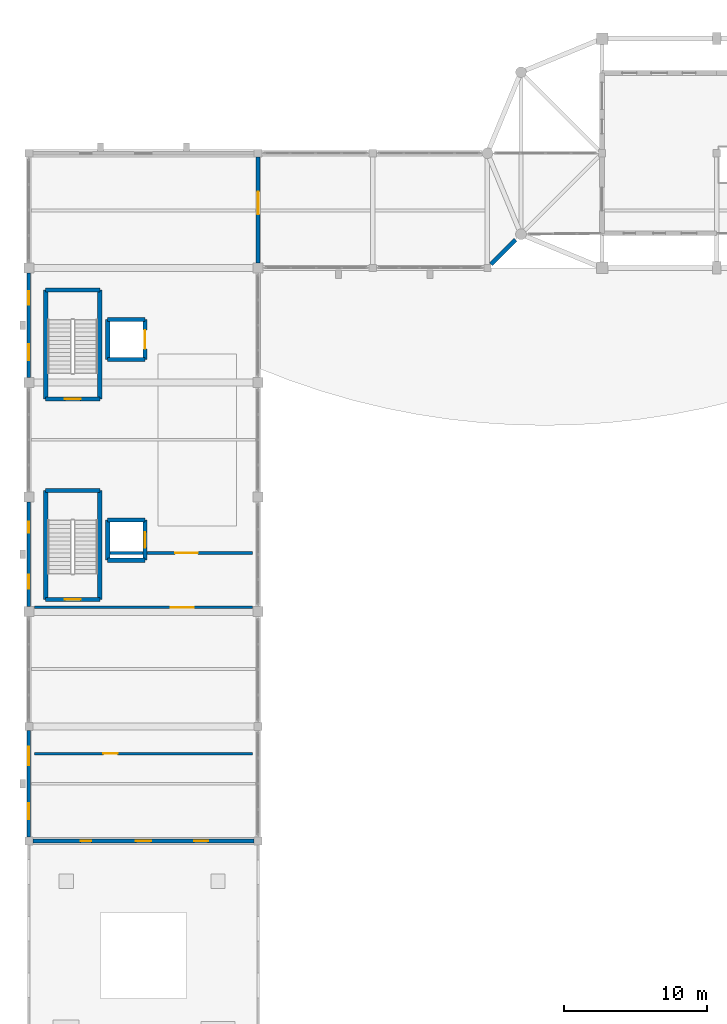
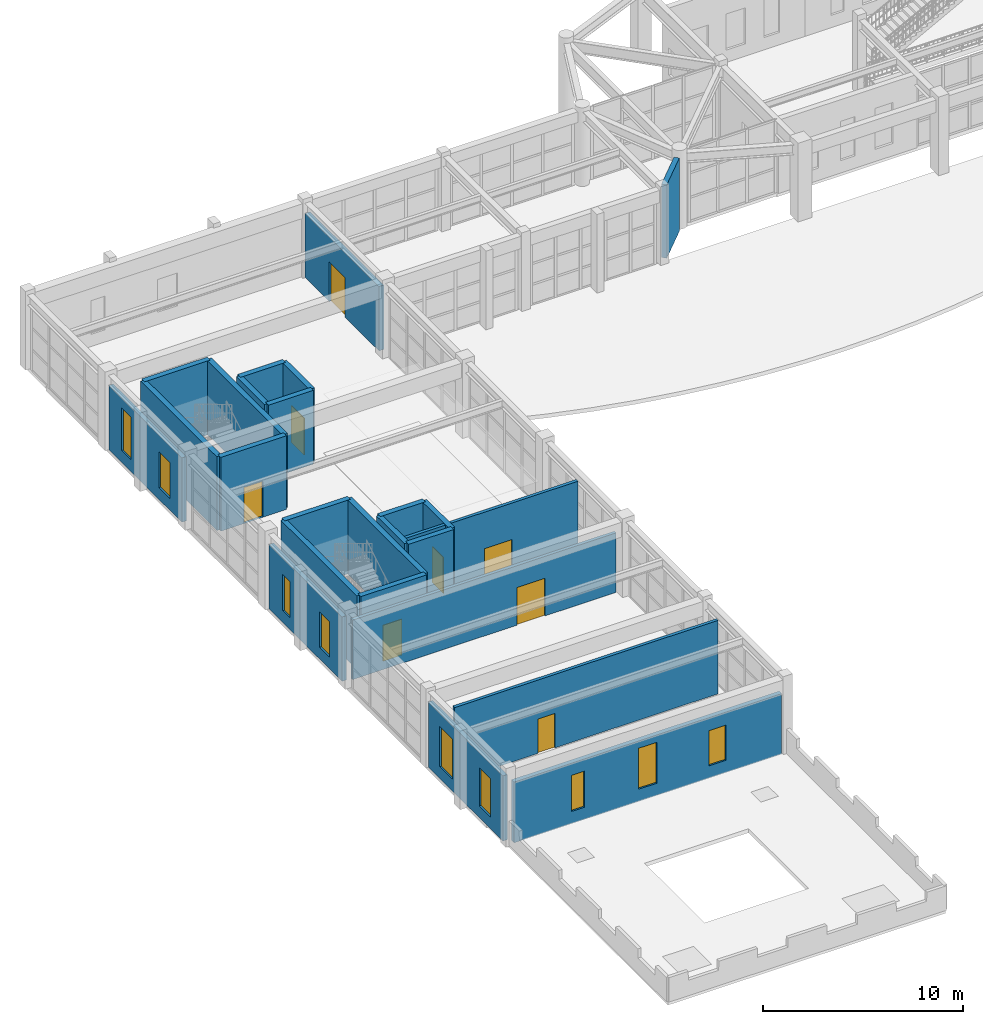
# One storey, part 38 of 59: 25 walls, 9 windows, 8 doors, 17 openings.
"""IFC4 building model written with IfcOpenShell, lengths in metres."""

from ifc_helpers import new_model, si_unit, direction, frame, frame_2d, origin, place, context, subcontext, project, spatial, rectangle, extrude, material, layer, layer_set, type_object, element, fill, save


model = new_model("IFC4")

# Units and contexts
model_context = context("Model", 3, precision=1e-05, world=origin(), true_north=direction((0.0, 1.0)))
body_context = subcontext(model_context, "Body", "Model", "MODEL_VIEW")
ifc_project = project(units=[si_unit("LENGTHUNIT", "METRE"), si_unit("AREAUNIT", "SQUARE_METRE"), si_unit("VOLUMEUNIT", "CUBIC_METRE"), si_unit("PLANEANGLEUNIT", "RADIAN"), si_unit("MASSUNIT", "GRAM", prefix="KILO")], contexts=[model_context])

# Site, building, storey
site_placement = place(None, origin())
site = spatial("IfcSite", under=ifc_project, at=site_placement, CompositionType="ELEMENT")
building_placement = place(site_placement, origin())
building = spatial("IfcBuilding", under=site, at=building_placement, Name="Serraluz Foothill Cableway Terminal", CompositionType="ELEMENT")
storey_placement = place(building_placement, frame((0.0, 0.0, 4.800048828125)))
storey = spatial("IfcBuildingStorey", under=building, at=storey_placement, Name="L01", CompositionType="ELEMENT", Elevation=4.800048828125)

# Wall, openings, windows
ifc_material_1 = material(Name="Fired clay masonry brick (f'm 12 MPa)", Category="masonry")
ifc_layer_1 = layer(ifc_material_1, 0.260009765625, Name="Fired clay masonry brick (f'm 12 MPa)", Category="masonry")
ifc_layer_set_1 = layer_set([ifc_layer_1], Name="Fired clay masonry brick (f'm 12 MPa)")
wall_type_1 = type_object("IfcWallType", Name="TYP-WL-EXT-260", PredefinedType="STANDARD", material=ifc_layer_set_1)
wall_1_placement = place(storey_placement, frame((0.0, 16.27490234375, 0.0), z_axis=(0.0, 0.0, 1.0), x_axis=(0.0, 1.0, 0.0)))
wall_1 = element("IfcWall", 1, at=wall_1_placement, inside=storey, type_object=wall_type_1, Name="Exterior Masonry Wall EW-V5W-L01-16", PredefinedType="STANDARD", context=body_context, shape_type="SweptSolid", body=[
    extrude(rectangle(XDim=7.4501953125, YDim=0.260009765625, at=frame_2d((3.72509765625, 0.0))), origin(), (0.0, 0.0, 1.0), 3.97900390625),
])
opening_1_placement = place(wall_1_placement, frame((1.22802734375, 0.0, 0.719970703125)))
opening_1 = element("IfcOpeningElement", 2, at=opening_1_placement, cuts=wall_1, Name="Opening W-50", PredefinedType="OPENING", context=body_context, shape_type="SweptSolid", body=[
    extrude(rectangle(XDim=1.1201171875, YDim=2.35009765625, at=frame_2d((0.56005859375, 1.175048828125))), frame((0.0, 0.14013671875, 0.0), z_axis=(0.0, -1.0, 0.0), x_axis=(1.0, 0.0, 0.0)), (0.0, 0.0, 1.0), 0.280029296875),
])
opening_2_placement = place(wall_1_placement, frame((5.011962890625, 0.0, 0.719970703125)))
opening_2 = element("IfcOpeningElement", 3, at=opening_2_placement, cuts=wall_1, Name="Opening W-40", PredefinedType="OPENING", context=body_context, shape_type="SweptSolid", body=[
    extrude(rectangle(XDim=1.300048828125, YDim=2.449951171875, at=frame_2d((0.64990234375, 1.22509765625))), frame((0.0, 0.14013671875, 0.0), z_axis=(0.0, -1.0, 0.0), x_axis=(1.0, 0.0, 0.0)), (0.0, 0.0, 1.0), 0.280029296875),
])
ifc_material_2 = material(Name="Laminated low-E safety glass", Category="glass")
window_type_1 = type_object("IfcWindowType", Name="TYP-WN-112X235", PartitioningType="SINGLE_PANEL", PredefinedType="WINDOW", material=ifc_material_2)
window_1_placement = place(opening_1_placement, origin())
window_1 = element("IfcWindow", 4, at=window_1_placement, inside=storey, type_object=window_type_1, Name="Exterior Window EW-V5W-L01-16-WN1", OverallHeight=2.35009765625, OverallWidth=1.1201171875, PartitioningType="SINGLE_PANEL", PredefinedType="WINDOW", context=body_context, shape_type="SweptSolid", body=[
    extrude(rectangle(XDim=1.1201171875, YDim=2.35009765625, at=frame_2d((0.56005859375, 1.175048828125))), frame((0.0, 0.030029296875, 0.0), z_axis=(0.0, -1.0, 0.0), x_axis=(1.0, 0.0, 0.0)), (0.0, 0.0, 1.0), 0.06005859375),
])
fill(opening_1, window_1)
window_type_2 = type_object("IfcWindowType", Name="TYP-WN-130X245", PartitioningType="DOUBLE_PANEL_VERTICAL", PredefinedType="WINDOW", material=ifc_material_2)
window_2_placement = place(opening_2_placement, origin())
window_2 = element("IfcWindow", 5, at=window_2_placement, inside=storey, type_object=window_type_2, Name="Exterior Window EW-V5W-L01-16-WN3", OverallHeight=2.449951171875, OverallWidth=1.300048828125, PartitioningType="SINGLE_PANEL", PredefinedType="WINDOW", context=body_context, shape_type="SweptSolid", body=[
    extrude(rectangle(XDim=1.300048828125, YDim=2.449951171875, at=frame_2d((0.64990234375, 1.22509765625))), frame((0.0, 0.030029296875, 0.0), z_axis=(0.0, -1.0, 0.0), x_axis=(1.0, 0.0, 0.0)), (0.0, 0.0, 1.0), 0.06005859375),
])
fill(opening_2, window_2)

wall_2_placement = place(storey_placement, frame((0.0, 32.35009765625, 0.0), z_axis=(0.0, 0.0, 1.0), x_axis=(0.0, 1.0, 0.0)))
wall_2 = element("IfcWall", 6, at=wall_2_placement, inside=storey, type_object=wall_type_1, Name="Exterior Masonry Wall EW-V5W-L01-32", PredefinedType="STANDARD", context=body_context, shape_type="SweptSolid", body=[
    extrude(rectangle(XDim=7.2998046875, YDim=0.260009765625, at=frame_2d((3.64990234375, 0.0))), origin(), (0.0, 0.0, 1.0), 3.924072265625),
])
opening_3_placement = place(wall_2_placement, frame((1.261962890625, 0.0, 0.719970703125)))
opening_3 = element("IfcOpeningElement", 7, at=opening_3_placement, cuts=wall_2, Name="Opening W-49", PredefinedType="OPENING", context=body_context, shape_type="SweptSolid", body=[
    extrude(rectangle(XDim=0.97998046875, YDim=2.14990234375, at=frame_2d((0.489990234375, 1.074951171875))), frame((0.0, 0.14013671875, 0.0), z_axis=(0.0, -1.0, 0.0), x_axis=(1.0, 0.0, 0.0)), (0.0, 0.0, 1.0), 0.280029296875),
])
opening_4_placement = place(wall_2_placement, frame((5.173095703125, 0.0, 0.719970703125)))
opening_4 = element("IfcOpeningElement", 8, at=opening_4_placement, cuts=wall_2, Name="Opening W-01", PredefinedType="OPENING", context=body_context, shape_type="SweptSolid", body=[
    extrude(rectangle(XDim=0.75, YDim=2.199951171875, at=frame_2d((0.375, 1.10009765625))), frame((0.0, 0.14013671875, 0.0), z_axis=(0.0, -1.0, 0.0), x_axis=(1.0, 0.0, 0.0)), (0.0, 0.0, 1.0), 0.280029296875),
])
window_type_3 = type_object("IfcWindowType", Name="TYP-WN-075X220", PartitioningType="SINGLE_PANEL", PredefinedType="WINDOW", material=ifc_material_2)
window_3_placement = place(opening_4_placement, origin())
window_3 = element("IfcWindow", 9, at=window_3_placement, inside=storey, type_object=window_type_3, Name="Exterior Window EW-V5W-L01-32-WN3", OverallHeight=2.199951171875, OverallWidth=0.75, PartitioningType="SINGLE_PANEL", PredefinedType="WINDOW", context=body_context, shape_type="SweptSolid", body=[
    extrude(rectangle(XDim=0.75, YDim=2.199951171875, at=frame_2d((0.375, 1.10009765625))), frame((0.0, 0.030029296875, 0.0), z_axis=(0.0, -1.0, 0.0), x_axis=(1.0, 0.0, 0.0)), (0.0, 0.0, 1.0), 0.06005859375),
])
fill(opening_4, window_3)
window_type_4 = type_object("IfcWindowType", Name="TYP-WN-098X215", PartitioningType="SINGLE_PANEL", PredefinedType="WINDOW", material=ifc_material_2)
window_4_placement = place(opening_3_placement, origin())
window_4 = element("IfcWindow", 10, at=window_4_placement, inside=storey, type_object=window_type_4, Name="Exterior Window EW-V5W-L01-32-WN1", OverallHeight=2.14990234375, OverallWidth=0.97998046875, PartitioningType="SINGLE_PANEL", PredefinedType="WINDOW", context=body_context, shape_type="SweptSolid", body=[
    extrude(rectangle(XDim=0.97998046875, YDim=2.14990234375, at=frame_2d((0.489990234375, 1.074951171875))), frame((0.0, 0.030029296875, 0.0), z_axis=(0.0, -1.0, 0.0), x_axis=(1.0, 0.0, 0.0)), (0.0, 0.0, 1.0), 0.06005859375),
])
fill(opening_3, window_4)

wall_3_placement = place(storey_placement, frame((0.0, 48.35009765625, 0.0), z_axis=(0.0, 0.0, 1.0), x_axis=(0.0, 1.0, 0.0)))
wall_3 = element("IfcWall", 11, at=wall_3_placement, inside=storey, type_object=wall_type_1, Name="Exterior Masonry Wall EW-V5W-L01-48", PredefinedType="STANDARD", context=body_context, shape_type="SweptSolid", body=[
    extrude(rectangle(XDim=7.2998046875, YDim=0.260009765625, at=frame_2d((3.64990234375, 0.0))), origin(), (0.0, 0.0, 1.0), 3.924072265625),
])
opening_5_placement = place(wall_3_placement, frame((1.201904296875, 0.0, 0.719970703125)))
opening_5 = element("IfcOpeningElement", 12, at=opening_5_placement, cuts=wall_3, Name="Opening W-04", PredefinedType="OPENING", context=body_context, shape_type="SweptSolid", body=[
    extrude(rectangle(XDim=1.10009765625, YDim=2.199951171875, at=frame_2d((0.550048828125, 1.10009765625))), frame((0.0, 0.14013671875, 0.0), z_axis=(0.0, -1.0, 0.0), x_axis=(1.0, 0.0, 0.0)), (0.0, 0.0, 1.0), 0.280029296875),
])
opening_6_placement = place(wall_3_placement, frame((5.072998046875, 0.0, 0.719970703125)))
opening_6 = element("IfcOpeningElement", 13, at=opening_6_placement, cuts=wall_3, Name="Opening W-03", PredefinedType="OPENING", context=body_context, shape_type="SweptSolid", body=[
    extrude(rectangle(XDim=0.949951171875, YDim=2.60009765625, at=frame_2d((0.47509765625, 1.300048828125))), frame((0.0, 0.14013671875, 0.0), z_axis=(0.0, -1.0, 0.0), x_axis=(1.0, 0.0, 0.0)), (0.0, 0.0, 1.0), 0.280029296875),
])
window_type_5 = type_object("IfcWindowType", Name="TYP-WN-095X260", PartitioningType="SINGLE_PANEL", PredefinedType="WINDOW", material=ifc_material_2)
window_5_placement = place(opening_6_placement, origin())
window_5 = element("IfcWindow", 14, at=window_5_placement, inside=storey, type_object=window_type_5, Name="Exterior Window EW-V5W-L01-48-WN3", OverallHeight=2.60009765625, OverallWidth=0.949951171875, PartitioningType="SINGLE_PANEL", PredefinedType="WINDOW", context=body_context, shape_type="SweptSolid", body=[
    extrude(rectangle(XDim=0.949951171875, YDim=2.60009765625, at=frame_2d((0.47509765625, 1.300048828125))), frame((0.0, 0.030029296875, 0.0), z_axis=(0.0, -1.0, 0.0), x_axis=(1.0, 0.0, 0.0)), (0.0, 0.0, 1.0), 0.06005859375),
])
fill(opening_6, window_5)
window_type_6 = type_object("IfcWindowType", Name="TYP-WN-110X220", PartitioningType="SINGLE_PANEL", PredefinedType="WINDOW", material=ifc_material_2)
window_6_placement = place(opening_5_placement, origin())
window_6 = element("IfcWindow", 15, at=window_6_placement, inside=storey, type_object=window_type_6, Name="Exterior Window EW-V5W-L01-48-WN1", OverallHeight=2.199951171875, OverallWidth=1.10009765625, PartitioningType="SINGLE_PANEL", PredefinedType="WINDOW", context=body_context, shape_type="SweptSolid", body=[
    extrude(rectangle(XDim=1.10009765625, YDim=2.199951171875, at=frame_2d((0.550048828125, 1.10009765625))), frame((0.0, 0.030029296875, 0.0), z_axis=(0.0, -1.0, 0.0), x_axis=(1.0, 0.0, 0.0)), (0.0, 0.0, 1.0), 0.06005859375),
])
fill(opening_5, window_6)

wall_4_placement = place(storey_placement, frame((15.72509765625, 16.0, 0.0), z_axis=(0.0, 0.0, 1.0), x_axis=(-1.0, 0.0, 0.0)))
wall_4 = element("IfcWall", 16, at=wall_4_placement, inside=storey, type_object=wall_type_1, Name="Exterior Masonry Wall EW-V5S-L01", PredefinedType="STANDARD", context=body_context, shape_type="SweptSolid", body=[
    extrude(rectangle(XDim=15.4501953125, YDim=0.260009765625, at=frame_2d((7.72509765625, 0.0))), origin(), (0.0, 0.0, 1.0), 3.695068359375),
])
opening_7_placement = place(wall_4_placement, frame((3.218017578125, 0.0, 0.75)))
opening_7 = element("IfcOpeningElement", 17, at=opening_7_placement, cuts=wall_4, Name="Opening W-49", PredefinedType="OPENING", context=body_context, shape_type="SweptSolid", body=[
    extrude(rectangle(XDim=0.97998046875, YDim=2.14990234375, at=frame_2d((0.489990234375, 1.074951171875))), frame((0.0, 0.14013671875, 0.0), z_axis=(0.0, -1.0, 0.0), x_axis=(1.0, 0.0, 0.0)), (0.0, 0.0, 1.0), 0.280029296875),
])
opening_8_placement = place(wall_4_placement, frame((7.199951171875, 0.0, 0.75)))
opening_8 = element("IfcOpeningElement", 18, at=opening_8_placement, cuts=wall_4, Name="Opening W-38", PredefinedType="OPENING", context=body_context, shape_type="SweptSolid", body=[
    extrude(rectangle(XDim=1.050048828125, YDim=2.5, at=frame_2d((0.52490234375, 1.25))), frame((0.0, 0.14013671875, 0.0), z_axis=(0.0, -1.0, 0.0), x_axis=(1.0, 0.0, 0.0)), (0.0, 0.0, 1.0), 0.280029296875),
])
opening_9_placement = place(wall_4_placement, frame((11.366943359375, 0.0, 0.75)))
opening_9 = element("IfcOpeningElement", 19, at=opening_9_placement, cuts=wall_4, Name="Opening W-01", PredefinedType="OPENING", context=body_context, shape_type="SweptSolid", body=[
    extrude(rectangle(XDim=0.75, YDim=2.199951171875, at=frame_2d((0.375, 1.10009765625))), frame((0.0, 0.14013671875, 0.0), z_axis=(0.0, -1.0, 0.0), x_axis=(1.0, 0.0, 0.0)), (0.0, 0.0, 1.0), 0.280029296875),
])
window_7_placement = place(opening_9_placement, origin())
window_7 = element("IfcWindow", 20, at=window_7_placement, inside=storey, type_object=window_type_3, Name="Exterior Window EW-V5S-L01-WN3", OverallHeight=2.199951171875, OverallWidth=0.75, PartitioningType="SINGLE_PANEL", PredefinedType="WINDOW", context=body_context, shape_type="SweptSolid", body=[
    extrude(rectangle(XDim=0.75, YDim=2.199951171875, at=frame_2d((0.375, 1.10009765625))), frame((0.0, 0.030029296875, 0.0), z_axis=(0.0, -1.0, 0.0), x_axis=(1.0, 0.0, 0.0)), (0.0, 0.0, 1.0), 0.06005859375),
])
fill(opening_9, window_7)
window_8_placement = place(opening_7_placement, origin())
window_8 = element("IfcWindow", 21, at=window_8_placement, inside=storey, type_object=window_type_4, Name="Exterior Window EW-V5S-L01-WN1", OverallHeight=2.14990234375, OverallWidth=0.97998046875, PartitioningType="SINGLE_PANEL", PredefinedType="WINDOW", context=body_context, shape_type="SweptSolid", body=[
    extrude(rectangle(XDim=0.97998046875, YDim=2.14990234375, at=frame_2d((0.489990234375, 1.074951171875))), frame((0.0, 0.030029296875, 0.0), z_axis=(0.0, -1.0, 0.0), x_axis=(1.0, 0.0, 0.0)), (0.0, 0.0, 1.0), 0.06005859375),
])
fill(opening_7, window_8)
window_type_7 = type_object("IfcWindowType", Name="TYP-WN-105X250", PartitioningType="SINGLE_PANEL", PredefinedType="WINDOW", material=ifc_material_2)
window_9_placement = place(opening_8_placement, origin())
window_9 = element("IfcWindow", 22, at=window_9_placement, inside=storey, type_object=window_type_7, Name="Exterior Window EW-V5S-L01-WN2", OverallHeight=2.5, OverallWidth=1.050048828125, PartitioningType="SINGLE_PANEL", PredefinedType="WINDOW", context=body_context, shape_type="SweptSolid", body=[
    extrude(rectangle(XDim=1.050048828125, YDim=2.5, at=frame_2d((0.52490234375, 1.25))), frame((0.0, 0.030029296875, 0.0), z_axis=(0.0, -1.0, 0.0), x_axis=(1.0, 0.0, 0.0)), (0.0, 0.0, 1.0), 0.06005859375),
])
fill(opening_8, window_9)

# Wall, opening, door
ifc_layer_2 = layer(ifc_material_1, 0.280029296875, Name="Fired clay masonry brick (f'm 12 MPa)", Category="masonry")
ifc_layer_set_2 = layer_set([ifc_layer_2], Name="Fired clay masonry brick (f'm 12 MPa)")
wall_type_2 = type_object("IfcWallType", Name="TYP-WL-EXT-280", PredefinedType="STANDARD", material=ifc_layer_set_2)
wall_5_placement = place(storey_placement, frame((16.0, 63.72509765625, 0.0), z_axis=(0.0, 0.0, 1.0), x_axis=(0.0, -1.0, 0.0)))
wall_5 = element("IfcWall", 23, at=wall_5_placement, inside=storey, type_object=wall_type_2, Name="Exterior Masonry Wall EW-V5E-L01-56", PredefinedType="STANDARD", context=body_context, shape_type="SweptSolid", body=[
    extrude(rectangle(XDim=7.375, YDim=0.280029296875, at=frame_2d((3.6875, 0.0))), origin(), (0.0, 0.0, 1.0), 3.924072265625),
])
opening_10_placement = place(wall_5_placement, frame((2.39990234375, 0.0, 0.0)))
opening_10 = element("IfcOpeningElement", 24, at=opening_10_placement, cuts=wall_5, Name="Opening DT-03", PredefinedType="OPENING", context=body_context, shape_type="SweptSolid", body=[
    extrude(rectangle(XDim=1.60009765625, YDim=2.39990234375, at=frame_2d((0.800048828125, 1.199951171875))), frame((0.0, 0.14990234375, 0.0), z_axis=(0.0, -1.0, 0.0), x_axis=(1.0, 0.0, 0.0)), (0.0, 0.0, 1.0), 0.300048828125),
])
ifc_material_3 = material(Name="Architectural bronze alloy C28000", Category="aluminium")
door_type_1 = type_object("IfcDoorType", Name="TYP-DR-TER-1600", OperationType="DOUBLE_DOOR_SINGLE_SWING", PredefinedType="DOOR", material=ifc_material_3)
door_1_placement = place(opening_10_placement, origin())
door_1 = element("IfcDoor", 25, at=door_1_placement, inside=storey, type_object=door_type_1, Name="West Bridge V5 Door L01", OperationType="DOUBLE_DOOR_SINGLE_SWING", OverallHeight=2.39990234375, OverallWidth=1.60009765625, PredefinedType="DOOR", context=body_context, shape_type="SweptSolid", body=[
    extrude(rectangle(XDim=1.60009765625, YDim=2.39990234375, at=frame_2d((0.800048828125, 1.199951171875))), frame((0.0, 0.02490234375, 0.0), z_axis=(0.0, -1.0, 0.0), x_axis=(1.0, 0.0, 0.0)), (0.0, 0.0, 1.0), 0.050048828125),
])
fill(opening_10, door_1)

# Wall
wall_6_placement = place(storey_placement, frame((33.968017578125, 57.968017578125, 0.0), z_axis=(0.0, 0.0, 1.0), x_axis=(-0.707106781187, -0.707106781187, 0.0)))
element("IfcWall", 26, at=wall_6_placement, inside=storey, type_object=wall_type_2, Name="Exterior Masonry Wall EW-WLS-STEP-L01", PredefinedType="STANDARD", context=body_context, shape_type="SweptSolid", body=[
    extrude(rectangle(XDim=2.4296875, YDim=0.280029296875, at=frame_2d((1.21484375, 0.0))), origin(), (0.0, 0.0, 1.0), 4.474853515625),
])

# Wall, opening, door
ifc_layer_3 = layer(ifc_material_1, 0.179931640625, Name="Fired clay masonry brick (f'm 12 MPa)", Category="masonry")
ifc_layer_set_3 = layer_set([ifc_layer_3], Name="Fired clay masonry brick (f'm 12 MPa)")
wall_type_3 = type_object("IfcWallType", Name="TYP-WL-PRT-180", PredefinedType="PARTITIONING", material=ifc_layer_set_3)
wall_7_placement = place(storey_placement, frame((5.39990234375, 36.10009765625, 0.0), z_axis=(0.0, 0.0, 1.0), x_axis=(1.0, 0.0, 0.0)))
wall_7 = element("IfcWall", 27, at=wall_7_placement, inside=storey, type_object=wall_type_3, Name="Interior Partition PT-L01-09", PredefinedType="PARTITIONING", context=body_context, shape_type="SweptSolid", body=[
    extrude(rectangle(XDim=10.2001953125, YDim=0.179931640625, at=frame_2d((5.10009765625, 0.0))), origin(), (0.0, 0.0, 1.0), 4.47998046875),
])
opening_11_placement = place(wall_7_placement, frame((4.800048828125, 0.0, 0.0)))
opening_11 = element("IfcOpeningElement", 28, at=opening_11_placement, cuts=wall_7, Name="Opening DF-05", PredefinedType="OPENING", context=body_context, shape_type="SweptSolid", body=[
    extrude(rectangle(XDim=1.60009765625, YDim=2.25, at=frame_2d((0.800048828125, 1.125))), frame((0.0, 0.10009765625, 0.0), z_axis=(0.0, -1.0, 0.0), x_axis=(1.0, 0.0, 0.0)), (0.0, 0.0, 1.0), 0.199951171875),
])
ifc_material_4 = material(Name="Galvanized hollow-metal steel sheet", Category="steel")
door_type_2 = type_object("IfcDoorType", Name="TYP-DR-FD30-1600", OperationType="DOUBLE_DOOR_SINGLE_SWING", PredefinedType="DOOR", material=ifc_material_4)
door_2_placement = place(opening_11_placement, origin())
door_2 = element("IfcDoor", 29, at=door_2_placement, inside=storey, type_object=door_type_2, Name="Interior Door PT-L01-09-DR1", OperationType="DOUBLE_DOOR_SINGLE_SWING", OverallHeight=2.25, OverallWidth=1.60009765625, PredefinedType="DOOR", context=body_context, shape_type="SweptSolid", body=[
    extrude(rectangle(XDim=1.60009765625, YDim=2.25, at=frame_2d((0.800048828125, 1.125))), frame((0.0, 0.02490234375, 0.0), z_axis=(0.0, -1.0, 0.0), x_axis=(1.0, 0.0, 0.0)), (0.0, 0.0, 1.0), 0.050048828125),
])
fill(opening_11, door_2)

wall_8_placement = place(storey_placement, frame((0.39990234375, 32.300048828125, 0.0), z_axis=(0.0, 0.0, 1.0), x_axis=(1.0, 0.0, 0.0)))
wall_8 = element("IfcWall", 30, at=wall_8_placement, inside=storey, type_object=wall_type_3, Name="Interior Partition PT-L01-09S", PredefinedType="PARTITIONING", context=body_context, shape_type="SweptSolid", body=[
    extrude(rectangle(XDim=15.2001953125, YDim=0.179931640625, at=frame_2d((7.60009765625, 0.0))), origin(), (0.0, 0.0, 1.0), 3.6318359375),
])
opening_12_placement = place(wall_8_placement, frame((9.5, 0.0, 0.0)))
opening_12 = element("IfcOpeningElement", 31, at=opening_12_placement, cuts=wall_8, Name="Opening DI-05", PredefinedType="OPENING", context=body_context, shape_type="SweptSolid", body=[
    extrude(rectangle(XDim=1.60009765625, YDim=2.300048828125, at=frame_2d((0.800048828125, 1.14990234375))), frame((0.0, 0.10009765625, 0.0), z_axis=(0.0, -1.0, 0.0), x_axis=(1.0, 0.0, 0.0)), (0.0, 0.0, 1.0), 0.199951171875),
])
door_type_3 = type_object("IfcDoorType", Name="TYP-DR-DBL-1600", OperationType="DOUBLE_DOOR_SINGLE_SWING", PredefinedType="DOOR", material=ifc_material_3)
door_3_placement = place(opening_12_placement, origin())
door_3 = element("IfcDoor", 32, at=door_3_placement, inside=storey, type_object=door_type_3, Name="Interior Door PT-L01-09S-DR1", OperationType="DOUBLE_DOOR_SINGLE_SWING", OverallHeight=2.300048828125, OverallWidth=1.60009765625, PredefinedType="DOOR", context=body_context, shape_type="SweptSolid", body=[
    extrude(rectangle(XDim=1.60009765625, YDim=2.300048828125, at=frame_2d((0.800048828125, 1.14990234375))), frame((0.0, 0.02490234375, 0.0), z_axis=(0.0, -1.0, 0.0), x_axis=(1.0, 0.0, 0.0)), (0.0, 0.0, 1.0), 0.050048828125),
])
fill(opening_12, door_3)

wall_9_placement = place(storey_placement, frame((0.39990234375, 22.10009765625, 0.0), z_axis=(0.0, 0.0, 1.0), x_axis=(1.0, 0.0, 0.0)))
wall_9 = element("IfcWall", 33, at=wall_9_placement, inside=storey, type_object=wall_type_3, Name="Interior Partition PT-L01-10", PredefinedType="PARTITIONING", context=body_context, shape_type="SweptSolid", body=[
    extrude(rectangle(XDim=15.2001953125, YDim=0.179931640625, at=frame_2d((7.60009765625, 0.0))), origin(), (0.0, 0.0, 1.0), 4.47998046875),
])
opening_13_placement = place(wall_9_placement, frame((4.800048828125, 0.0, 0.0)))
opening_13 = element("IfcOpeningElement", 34, at=opening_13_placement, cuts=wall_9, Name="Opening DI-04", PredefinedType="OPENING", context=body_context, shape_type="SweptSolid", body=[
    extrude(rectangle(XDim=1.0, YDim=2.10009765625, at=frame_2d((0.5, 1.050048828125))), frame((0.0, 0.10009765625, 0.0), z_axis=(0.0, -1.0, 0.0), x_axis=(1.0, 0.0, 0.0)), (0.0, 0.0, 1.0), 0.199951171875),
])
ifc_material_5 = material(Name="Kiln-dried Andean oak hardwood", Category="wood")
door_type_4 = type_object("IfcDoorType", Name="TYP-DR-ACC-1000", OperationType="NOTDEFINED", PredefinedType="DOOR", material=ifc_material_5)
door_4_placement = place(opening_13_placement, origin())
door_4 = element("IfcDoor", 35, at=door_4_placement, inside=storey, type_object=door_type_4, Name="Interior Door PT-L01-10-DR1", OperationType="SINGLE_SWING_RIGHT", OverallHeight=2.10009765625, OverallWidth=1.0, PredefinedType="DOOR", context=body_context, shape_type="SweptSolid", body=[
    extrude(rectangle(XDim=1.0, YDim=2.10009765625, at=frame_2d((0.5, 1.050048828125))), frame((0.0, 0.02490234375, 0.0), z_axis=(0.0, -1.0, 0.0), x_axis=(1.0, 0.0, 0.0)), (0.0, 0.0, 1.0), 0.050048828125),
])
fill(opening_13, door_4)

ifc_material_6 = material(Name="Concrete C35/45 (f'c 35 MPa)", Category="concrete")
ifc_layer_4 = layer(ifc_material_6, 0.300048828125, Name="Concrete C35/45 (f'c 35 MPa)", Category="concrete")
ifc_layer_set_4 = layer_set([ifc_layer_4], Name="Concrete C35/45 (f'c 35 MPa)")
wall_type_4 = type_object("IfcWallType", Name="TYP-WL-SHR-350", PredefinedType="SHEAR", material=ifc_layer_set_4)
wall_10_placement = place(storey_placement, frame((4.949951171875, 46.85009765625, 0.0), z_axis=(0.0, 0.0, 1.0), x_axis=(-1.0, 0.0, 0.0)))
wall_10 = element("IfcWall", 36, at=wall_10_placement, inside=storey, type_object=wall_type_4, Name="Stair Core Shear Wall CW-ST-01-L01-S", PredefinedType="SHEAR", context=body_context, shape_type="SweptSolid", body=[
    extrude(rectangle(XDim=3.780029296875, YDim=0.300048828125, at=frame_2d((1.89013671875, 0.0))), origin(), (0.0, 0.0, 1.0), 4.5),
])
opening_14_placement = place(wall_10_placement, frame((1.340087890625, 0.0, 0.0)))
opening_14 = element("IfcOpeningElement", 37, at=opening_14_placement, cuts=wall_10, Name="Opening DF-07", PredefinedType="OPENING", context=body_context, shape_type="SweptSolid", body=[
    extrude(rectangle(XDim=1.10009765625, YDim=2.199951171875, at=frame_2d((0.550048828125, 1.10009765625))), frame((0.0, 0.16015625, 0.0), z_axis=(0.0, -1.0, 0.0), x_axis=(1.0, 0.0, 0.0)), (0.0, 0.0, 1.0), 0.320068359375),
])
door_type_5 = type_object("IfcDoorType", Name="TYP-DR-FD60-1100", OperationType="NOTDEFINED", PredefinedType="DOOR", material=ifc_material_4)
door_5_placement = place(opening_14_placement, origin())
door_5 = element("IfcDoor", 38, at=door_5_placement, inside=storey, type_object=door_type_5, Name="Exit Stair Fire Door ST-01 L01", OperationType="SINGLE_SWING_LEFT", OverallHeight=2.199951171875, OverallWidth=1.10009765625, PredefinedType="DOOR", context=body_context, shape_type="SweptSolid", body=[
    extrude(rectangle(XDim=1.10009765625, YDim=2.199951171875, at=frame_2d((0.550048828125, 1.10009765625))), frame((0.0, 0.02490234375, 0.0), z_axis=(0.0, -1.0, 0.0), x_axis=(1.0, 0.0, 0.0)), (0.0, 0.0, 1.0), 0.050048828125),
])
fill(opening_14, door_5)

# Walls
wall_11_placement = place(storey_placement, frame((1.169921875, 46.85009765625, 0.0), z_axis=(0.0, 0.0, 1.0), x_axis=(0.0, 1.0, 0.0)))
element("IfcWall", 39, at=wall_11_placement, inside=storey, type_object=wall_type_4, Name="Stair Core Shear Wall CW-ST-01-L01-W", PredefinedType="SHEAR", context=body_context, shape_type="SweptSolid", body=[
    extrude(rectangle(XDim=7.60986328125, YDim=0.300048828125, at=frame_2d((3.804931640625, 0.0))), origin(), (0.0, 0.0, 1.0), 4.5),
])
wall_12_placement = place(storey_placement, frame((1.169921875, 54.4599609375, 0.0), z_axis=(0.0, 0.0, 1.0), x_axis=(1.0, 0.0, 0.0)))
element("IfcWall", 40, at=wall_12_placement, inside=storey, type_object=wall_type_4, Name="Stair Core Shear Wall CW-ST-01-L01-N", PredefinedType="SHEAR", context=body_context, shape_type="SweptSolid", body=[
    extrude(rectangle(XDim=3.780029296875, YDim=0.300048828125, at=frame_2d((1.89013671875, 0.0))), origin(), (0.0, 0.0, 1.0), 4.5),
])
wall_13_placement = place(storey_placement, frame((4.949951171875, 54.4599609375, 0.0), z_axis=(0.0, 0.0, 1.0), x_axis=(0.0, -1.0, 0.0)))
element("IfcWall", 41, at=wall_13_placement, inside=storey, type_object=wall_type_4, Name="Stair Core Shear Wall CW-ST-01-L01-E", PredefinedType="SHEAR", context=body_context, shape_type="SweptSolid", body=[
    extrude(rectangle(XDim=7.60986328125, YDim=0.300048828125, at=frame_2d((3.804931640625, 0.0))), origin(), (0.0, 0.0, 1.0), 4.5),
])

# Wall, opening, door
wall_14_placement = place(storey_placement, frame((4.949951171875, 32.85009765625, 0.0), z_axis=(0.0, 0.0, 1.0), x_axis=(-1.0, 0.0, 0.0)))
wall_14 = element("IfcWall", 42, at=wall_14_placement, inside=storey, type_object=wall_type_4, Name="Stair Core Shear Wall CW-ST-02-L01-S", PredefinedType="SHEAR", context=body_context, shape_type="SweptSolid", body=[
    extrude(rectangle(XDim=3.780029296875, YDim=0.300048828125, at=frame_2d((1.89013671875, 0.0))), origin(), (0.0, 0.0, 1.0), 4.5),
])
opening_15_placement = place(wall_14_placement, frame((1.340087890625, 0.0, 0.0)))
opening_15 = element("IfcOpeningElement", 43, at=opening_15_placement, cuts=wall_14, Name="Opening DF-07", PredefinedType="OPENING", context=body_context, shape_type="SweptSolid", body=[
    extrude(rectangle(XDim=1.10009765625, YDim=2.199951171875, at=frame_2d((0.550048828125, 1.10009765625))), frame((0.0, 0.16015625, 0.0), z_axis=(0.0, -1.0, 0.0), x_axis=(1.0, 0.0, 0.0)), (0.0, 0.0, 1.0), 0.320068359375),
])
door_6_placement = place(opening_15_placement, origin())
door_6 = element("IfcDoor", 44, at=door_6_placement, inside=storey, type_object=door_type_5, Name="Exit Stair Fire Door ST-02 L01", OperationType="SINGLE_SWING_RIGHT", OverallHeight=2.199951171875, OverallWidth=1.10009765625, PredefinedType="DOOR", context=body_context, shape_type="SweptSolid", body=[
    extrude(rectangle(XDim=1.10009765625, YDim=2.199951171875, at=frame_2d((0.550048828125, 1.10009765625))), frame((0.0, 0.02490234375, 0.0), z_axis=(0.0, -1.0, 0.0), x_axis=(1.0, 0.0, 0.0)), (0.0, 0.0, 1.0), 0.050048828125),
])
fill(opening_15, door_6)

# Walls
wall_15_placement = place(storey_placement, frame((1.169921875, 32.85009765625, 0.0), z_axis=(0.0, 0.0, 1.0), x_axis=(0.0, 1.0, 0.0)))
element("IfcWall", 45, at=wall_15_placement, inside=storey, type_object=wall_type_4, Name="Stair Core Shear Wall CW-ST-02-L01-W", PredefinedType="SHEAR", context=body_context, shape_type="SweptSolid", body=[
    extrude(rectangle(XDim=7.60986328125, YDim=0.300048828125, at=frame_2d((3.804931640625, 0.0))), origin(), (0.0, 0.0, 1.0), 4.5),
])
wall_16_placement = place(storey_placement, frame((1.169921875, 40.4599609375, 0.0), z_axis=(0.0, 0.0, 1.0), x_axis=(1.0, 0.0, 0.0)))
element("IfcWall", 46, at=wall_16_placement, inside=storey, type_object=wall_type_4, Name="Stair Core Shear Wall CW-ST-02-L01-N", PredefinedType="SHEAR", context=body_context, shape_type="SweptSolid", body=[
    extrude(rectangle(XDim=3.780029296875, YDim=0.300048828125, at=frame_2d((1.89013671875, 0.0))), origin(), (0.0, 0.0, 1.0), 4.5),
])
wall_17_placement = place(storey_placement, frame((4.949951171875, 40.4599609375, 0.0), z_axis=(0.0, 0.0, 1.0), x_axis=(0.0, -1.0, 0.0)))
element("IfcWall", 47, at=wall_17_placement, inside=storey, type_object=wall_type_4, Name="Stair Core Shear Wall CW-ST-02-L01-E", PredefinedType="SHEAR", context=body_context, shape_type="SweptSolid", body=[
    extrude(rectangle(XDim=7.60986328125, YDim=0.300048828125, at=frame_2d((3.804931640625, 0.0))), origin(), (0.0, 0.0, 1.0), 4.5),
])
wall_18_placement = place(storey_placement, frame((8.10009765625, 49.60009765625, 0.0), z_axis=(0.0, 0.0, 1.0), x_axis=(-1.0, 0.0, 0.0)))
element("IfcWall", 48, at=wall_18_placement, inside=storey, type_object=wall_type_4, Name="Lift Shaft Shear Wall LW-LF-01-L01-S", PredefinedType="SHEAR", context=body_context, shape_type="SweptSolid", body=[
    extrude(rectangle(XDim=2.60009765625, YDim=0.300048828125, at=frame_2d((1.300048828125, 0.0))), origin(), (0.0, 0.0, 1.0), 4.5),
])
wall_19_placement = place(storey_placement, frame((5.5, 49.60009765625, 0.0), z_axis=(0.0, 0.0, 1.0), x_axis=(0.0, 1.0, 0.0)))
element("IfcWall", 49, at=wall_19_placement, inside=storey, type_object=wall_type_4, Name="Lift Shaft Shear Wall LW-LF-01-L01-W", PredefinedType="SHEAR", context=body_context, shape_type="SweptSolid", body=[
    extrude(rectangle(XDim=2.7998046875, YDim=0.300048828125, at=frame_2d((1.39990234375, 0.0))), origin(), (0.0, 0.0, 1.0), 4.5),
])
wall_20_placement = place(storey_placement, frame((5.5, 52.39990234375, 0.0), z_axis=(0.0, 0.0, 1.0), x_axis=(1.0, 0.0, 0.0)))
element("IfcWall", 50, at=wall_20_placement, inside=storey, type_object=wall_type_4, Name="Lift Shaft Shear Wall LW-LF-01-L01-N", PredefinedType="SHEAR", context=body_context, shape_type="SweptSolid", body=[
    extrude(rectangle(XDim=2.60009765625, YDim=0.300048828125, at=frame_2d((1.300048828125, 0.0))), origin(), (0.0, 0.0, 1.0), 4.5),
])

# Wall, opening, door
wall_21_placement = place(storey_placement, frame((8.10009765625, 52.39990234375, 0.0), z_axis=(0.0, 0.0, 1.0), x_axis=(0.0, -1.0, 0.0)))
wall_21 = element("IfcWall", 51, at=wall_21_placement, inside=storey, type_object=wall_type_4, Name="Lift Shaft Shear Wall LW-LF-01-L01-E", PredefinedType="SHEAR", context=body_context, shape_type="SweptSolid", body=[
    extrude(rectangle(XDim=2.7998046875, YDim=0.300048828125, at=frame_2d((1.39990234375, 0.0))), origin(), (0.0, 0.0, 1.0), 4.5),
])
opening_16_placement = place(wall_21_placement, frame((0.75, 0.0, 0.0)))
opening_16 = element("IfcOpeningElement", 52, at=opening_16_placement, cuts=wall_21, Name="Opening LD-02", PredefinedType="OPENING", context=body_context, shape_type="SweptSolid", body=[
    extrude(rectangle(XDim=1.300048828125, YDim=2.25, at=frame_2d((0.64990234375, 1.125))), frame((0.0, 0.16015625, 0.0), z_axis=(0.0, -1.0, 0.0), x_axis=(1.0, 0.0, 0.0)), (0.0, 0.0, 1.0), 0.320068359375),
])
door_type_6 = type_object("IfcDoorType", Name="TYP-DR-LD-1300", OperationType="DOUBLE_DOOR_SLIDING", PredefinedType="DOOR", material=ifc_material_4)
door_7_placement = place(opening_16_placement, origin())
door_7 = element("IfcDoor", 53, at=door_7_placement, inside=storey, type_object=door_type_6, Name="Lift Sliding Landing Door LF-01 L01", OperationType="DOUBLE_DOOR_SLIDING", OverallHeight=2.25, OverallWidth=1.300048828125, PredefinedType="DOOR", context=body_context, shape_type="SweptSolid", body=[
    extrude(rectangle(XDim=1.300048828125, YDim=2.25, at=frame_2d((0.64990234375, 1.125))), frame((0.0, 0.02490234375, 0.0), z_axis=(0.0, -1.0, 0.0), x_axis=(1.0, 0.0, 0.0)), (0.0, 0.0, 1.0), 0.050048828125),
])
fill(opening_16, door_7)

# Walls
wall_22_placement = place(storey_placement, frame((8.10009765625, 35.60009765625, 0.0), z_axis=(0.0, 0.0, 1.0), x_axis=(-1.0, 0.0, 0.0)))
element("IfcWall", 54, at=wall_22_placement, inside=storey, type_object=wall_type_4, Name="Lift Shaft Shear Wall LW-LF-02-L01-S", PredefinedType="SHEAR", context=body_context, shape_type="SweptSolid", body=[
    extrude(rectangle(XDim=2.60009765625, YDim=0.300048828125, at=frame_2d((1.300048828125, 0.0))), origin(), (0.0, 0.0, 1.0), 4.5),
])
wall_23_placement = place(storey_placement, frame((5.5, 35.60009765625, 0.0), z_axis=(0.0, 0.0, 1.0), x_axis=(0.0, 1.0, 0.0)))
element("IfcWall", 55, at=wall_23_placement, inside=storey, type_object=wall_type_4, Name="Lift Shaft Shear Wall LW-LF-02-L01-W", PredefinedType="SHEAR", context=body_context, shape_type="SweptSolid", body=[
    extrude(rectangle(XDim=2.7998046875, YDim=0.300048828125, at=frame_2d((1.39990234375, 0.0))), origin(), (0.0, 0.0, 1.0), 4.5),
])
wall_24_placement = place(storey_placement, frame((5.5, 38.39990234375, 0.0), z_axis=(0.0, 0.0, 1.0), x_axis=(1.0, 0.0, 0.0)))
element("IfcWall", 56, at=wall_24_placement, inside=storey, type_object=wall_type_4, Name="Lift Shaft Shear Wall LW-LF-02-L01-N", PredefinedType="SHEAR", context=body_context, shape_type="SweptSolid", body=[
    extrude(rectangle(XDim=2.60009765625, YDim=0.300048828125, at=frame_2d((1.300048828125, 0.0))), origin(), (0.0, 0.0, 1.0), 4.5),
])

# Wall, opening, door
wall_25_placement = place(storey_placement, frame((8.10009765625, 38.39990234375, 0.0), z_axis=(0.0, 0.0, 1.0), x_axis=(0.0, -1.0, 0.0)))
wall_25 = element("IfcWall", 57, at=wall_25_placement, inside=storey, type_object=wall_type_4, Name="Lift Shaft Shear Wall LW-LF-02-L01-E", PredefinedType="SHEAR", context=body_context, shape_type="SweptSolid", body=[
    extrude(rectangle(XDim=2.7998046875, YDim=0.300048828125, at=frame_2d((1.39990234375, 0.0))), origin(), (0.0, 0.0, 1.0), 4.5),
])
opening_17_placement = place(wall_25_placement, frame((0.85009765625, 0.0, 0.0)))
opening_17 = element("IfcOpeningElement", 58, at=opening_17_placement, cuts=wall_25, Name="Opening LD-01", PredefinedType="OPENING", context=body_context, shape_type="SweptSolid", body=[
    extrude(rectangle(XDim=1.10009765625, YDim=2.199951171875, at=frame_2d((0.550048828125, 1.10009765625))), frame((0.0, 0.16015625, 0.0), z_axis=(0.0, -1.0, 0.0), x_axis=(1.0, 0.0, 0.0)), (0.0, 0.0, 1.0), 0.320068359375),
])
door_type_7 = type_object("IfcDoorType", Name="TYP-DR-LD-1100", OperationType="DOUBLE_DOOR_SLIDING", PredefinedType="DOOR", material=ifc_material_4)
door_8_placement = place(opening_17_placement, origin())
door_8 = element("IfcDoor", 59, at=door_8_placement, inside=storey, type_object=door_type_7, Name="Lift Sliding Landing Door LF-02 L01", OperationType="DOUBLE_DOOR_SLIDING", OverallHeight=2.199951171875, OverallWidth=1.10009765625, PredefinedType="DOOR", context=body_context, shape_type="SweptSolid", body=[
    extrude(rectangle(XDim=1.10009765625, YDim=2.199951171875, at=frame_2d((0.550048828125, 1.10009765625))), frame((0.0, 0.02490234375, 0.0), z_axis=(0.0, -1.0, 0.0), x_axis=(1.0, 0.0, 0.0)), (0.0, 0.0, 1.0), 0.050048828125),
])
fill(opening_17, door_8)

save(model, "model.ifc")
